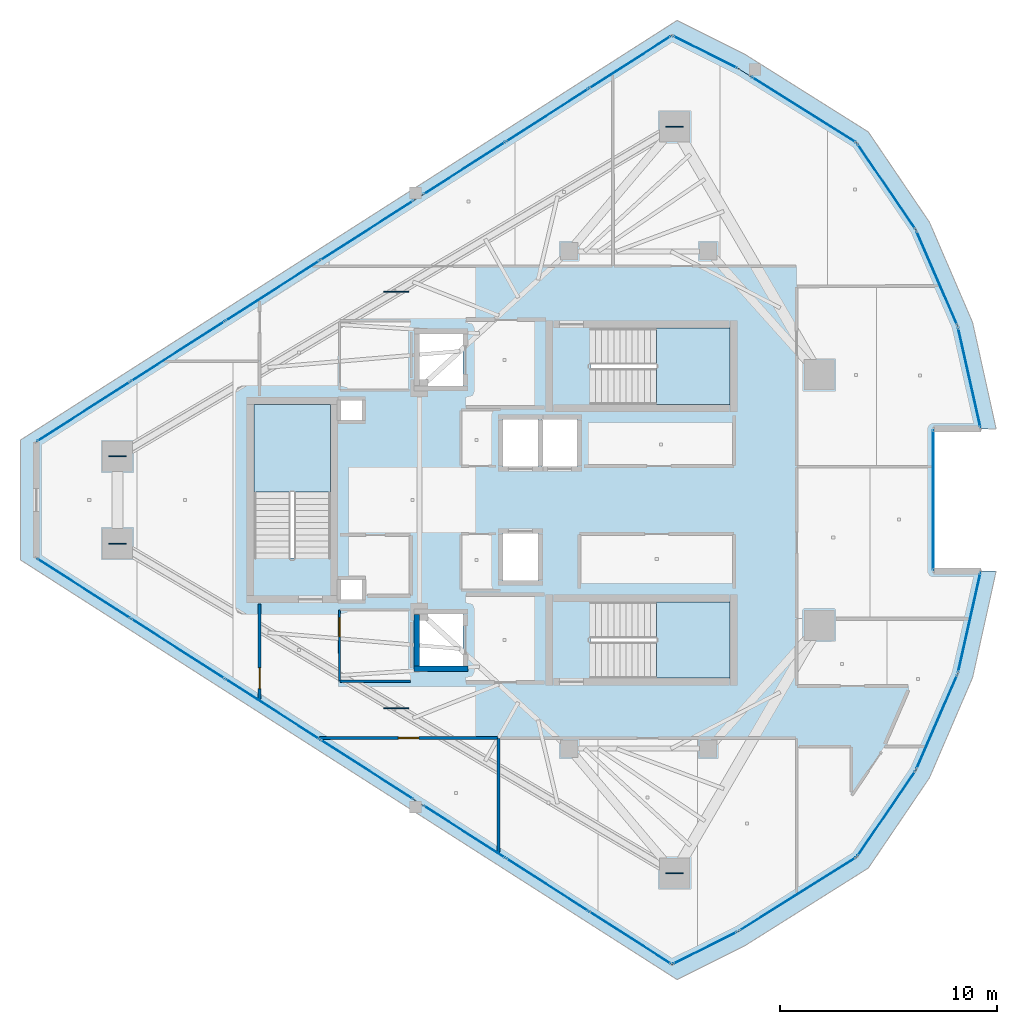
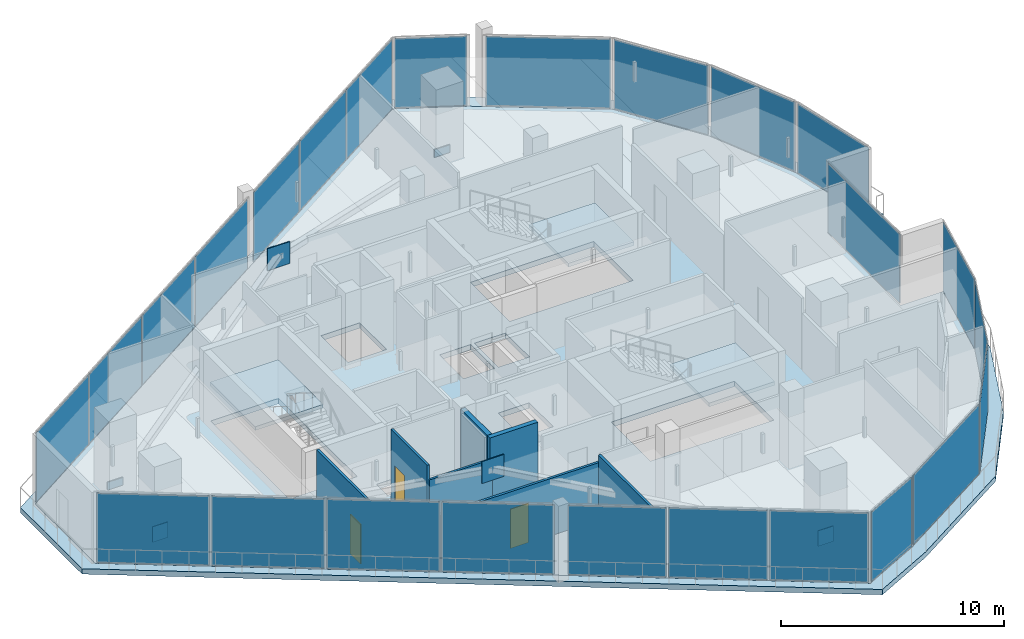
# One storey, part 16 of 25: 31 plates, 7 walls, 5 slabs, 3 doors, 3 openings, 18 elements without a shape of their own.
"""IFC4 building model written with IfcOpenShell, lengths in metres."""

from ifc_helpers import new_model, si_unit, direction, frame, frame_2d, origin, origin_2d, place, context, subcontext, project, spatial, polyline, rectangle, outline, extrude, material, layer, layer_set, type_object, element, fill, aggregate, save


model = new_model("IFC4")

# Units and contexts
model_context = context("Model", 3, precision=1e-05, world=origin(), true_north=direction((0.0, 1.0)))
body_context = subcontext(model_context, "Body", "Model", "MODEL_VIEW")
ifc_project = project(units=[si_unit("LENGTHUNIT", "METRE"), si_unit("AREAUNIT", "SQUARE_METRE"), si_unit("VOLUMEUNIT", "CUBIC_METRE"), si_unit("PLANEANGLEUNIT", "RADIAN"), si_unit("MASSUNIT", "GRAM", prefix="KILO")], contexts=[model_context])

# Site, building, storey
site_placement = place(None, origin())
site = spatial("IfcSite", under=ifc_project, at=site_placement, CompositionType="ELEMENT")
building_placement = place(site_placement, origin())
building = spatial("IfcBuilding", under=site, at=building_placement, Name="Qorvath Tower", CompositionType="ELEMENT")
storey_placement = place(building_placement, frame((0.0, 0.0, 314.39990234375)))
storey = spatial("IfcBuildingStorey", under=building, at=storey_placement, Name="L73", CompositionType="ELEMENT", Elevation=314.39990234375)

# Curtain wall, plates
ifc_material_1 = material(Name="Anodised aluminium and triple low-E glass", Category="aluminium")
ifc_layer_1 = layer(ifc_material_1, 0.179931640625)
ifc_layer_set_1 = layer_set([ifc_layer_1], Name="CW-SYS-4")
curtain_wall_type = type_object("IfcCurtainWallType", Name="CW-SYS-4", PredefinedType="NOTDEFINED", material=ifc_layer_set_1)
curtain_wall_1_placement = place(storey_placement, origin())
curtain_wall_1 = element("IfcCurtainWall", 1, at=curtain_wall_1_placement, inside=storey, type_object=curtain_wall_type, Name="Curtain Wall CW-4 CW-T-L73-2.1", PredefinedType="NOTDEFINED")
ifc_material_2 = material(Name="Acoustic laminated low-E glass", Category="glass")
ifc_layer_2 = layer(ifc_material_2, 0.0380859375)
ifc_layer_set_2 = layer_set([ifc_layer_2], Name="CWP-GLZ-38")
plate_type_1 = type_object("IfcPlateType", Name="CWP-GLZ-38", PredefinedType="CURTAIN_PANEL", material=ifc_layer_set_2)
plate_1_placement = place(storey_placement, frame((-45.953857421875, -4.074462890625, 0.06494140625), z_axis=(0.0, 0.0, 1.0), x_axis=(0.842606436662, -0.538529844016, 0.0)))
plate_1 = element("IfcPlate", 2, at=plate_1_placement, type_object=plate_type_1, Name="CW-4 panel 1.1", PredefinedType="CURTAIN_PANEL", context=body_context, shape_type="SweptSolid", body=[
    extrude(rectangle(XDim=5.054931640625, YDim=0.0380859375, at=origin_2d()), origin(), (0.0, 0.0, 1.0), 3.7802734375),
])
plate_2_placement = place(storey_placement, frame((-41.615478515625, -6.84716796875, 0.06494140625), z_axis=(0.0, 0.0, 1.0), x_axis=(0.842606436662, -0.538529844016, 0.0)))
plate_2 = element("IfcPlate", 3, at=plate_2_placement, type_object=plate_type_1, Name="CW-4 panel 2.1", PredefinedType="CURTAIN_PANEL", context=body_context, shape_type="SweptSolid", body=[
    extrude(rectangle(XDim=5.092529296875, YDim=0.0380859375, at=origin_2d()), origin(), (0.0, 0.0, 1.0), 3.7802734375),
])
plate_3_placement = place(storey_placement, frame((-37.261474609375, -9.6298828125, 0.06494140625), z_axis=(0.0, 0.0, 1.0), x_axis=(0.842606436662, -0.538529844016, 0.0)))
plate_3 = element("IfcPlate", 4, at=plate_3_placement, type_object=plate_type_1, Name="CW-4 panel 3.1", PredefinedType="CURTAIN_PANEL", context=body_context, shape_type="SweptSolid", body=[
    extrude(rectangle(XDim=5.092529296875, YDim=0.0380859375, at=origin_2d()), origin(), (0.0, 0.0, 1.0), 3.7802734375),
])
plate_4_placement = place(storey_placement, frame((-32.923095703125, -12.402587890625, 0.06494140625), z_axis=(0.0, 0.0, 1.0), x_axis=(0.842606436662, -0.538529844016, 0.0)))
plate_4 = element("IfcPlate", 5, at=plate_4_placement, type_object=plate_type_1, Name="CW-4 panel 4.1", PredefinedType="CURTAIN_PANEL", context=body_context, shape_type="SweptSolid", body=[
    extrude(rectangle(XDim=5.054931640625, YDim=0.0380859375, at=origin_2d()), origin(), (0.0, 0.0, 1.0), 3.7802734375),
])
aggregate(curtain_wall_1, [plate_1, plate_2, plate_3, plate_4])

curtain_wall_2_placement = place(storey_placement, origin())
curtain_wall_2 = element("IfcCurtainWall", 6, at=curtain_wall_2_placement, inside=storey, type_object=curtain_wall_type, Name="Curtain Wall CW-4 CW-T-L73-2.2", PredefinedType="NOTDEFINED")
plate_5_placement = place(storey_placement, frame((-28.42724609375, -15.276123046875, 0.06494140625), z_axis=(0.0, 0.0, 1.0), x_axis=(0.842602213743, -0.538536451315, 0.0)))
plate_5 = element("IfcPlate", 7, at=plate_5_placement, type_object=plate_type_1, Name="CW-4 panel 1.1", PredefinedType="CURTAIN_PANEL", context=body_context, shape_type="SweptSolid", body=[
    extrude(rectangle(XDim=4.430908203125, YDim=0.0380859375, at=origin_2d()), origin(), (0.0, 0.0, 1.0), 3.7802734375),
])
plate_6_placement = place(storey_placement, frame((-24.61474609375, -17.712890625, 0.06494140625), z_axis=(0.0, 0.0, 1.0), x_axis=(0.842602213743, -0.538536451315, 0.0)))
plate_6 = element("IfcPlate", 8, at=plate_6_placement, type_object=plate_type_1, Name="CW-4 panel 2.1", PredefinedType="CURTAIN_PANEL", context=body_context, shape_type="SweptSolid", body=[
    extrude(rectangle(XDim=4.468505859375, YDim=0.0380859375, at=origin_2d()), origin(), (0.0, 0.0, 1.0), 3.7802734375),
])
plate_7_placement = place(storey_placement, frame((-20.80224609375, -20.149658203125, 0.06494140625), z_axis=(0.0, 0.0, 1.0), x_axis=(0.842602213743, -0.538536451315, 0.0)))
plate_7 = element("IfcPlate", 9, at=plate_7_placement, type_object=plate_type_1, Name="CW-4 panel 3.1", PredefinedType="CURTAIN_PANEL", context=body_context, shape_type="SweptSolid", body=[
    extrude(rectangle(XDim=4.430908203125, YDim=0.0380859375, at=origin_2d()), origin(), (0.0, 0.0, 1.0), 3.7802734375),
])
aggregate(curtain_wall_2, [plate_5, plate_6, plate_7])

# Curtain wall, plate
curtain_wall_3_placement = place(storey_placement, origin())
curtain_wall_3 = element("IfcCurtainWall", 10, at=curtain_wall_3_placement, inside=storey, type_object=curtain_wall_type, Name="Curtain Wall CW-4 CW-T-L73-3.1", PredefinedType="NOTDEFINED")
plate_8_placement = place(storey_placement, frame((-17.344970703125, -20.619384765625, 0.06494140625), z_axis=(0.0, 0.0, 1.0), x_axis=(0.89442133489, 0.447225307528, 0.0)))
plate_8 = element("IfcPlate", 11, at=plate_8_placement, type_object=plate_type_1, Name="CW-4 panel 1.1", PredefinedType="CURTAIN_PANEL", context=body_context, shape_type="SweptSolid", body=[
    extrude(rectangle(XDim=3.265380859375, YDim=0.0380859375, at=origin_2d()), origin(), (0.0, 0.0, 1.0), 3.7802734375),
])
aggregate(curtain_wall_3, [plate_8])

curtain_wall_4_placement = place(storey_placement, origin())
curtain_wall_4 = element("IfcCurtainWall", 12, at=curtain_wall_4_placement, inside=storey, type_object=curtain_wall_type, Name="Curtain Wall CW-4 CW-T-L73-4.1", PredefinedType="NOTDEFINED")
plate_9_placement = place(storey_placement, frame((-13.08935546875, -18.14453125, 0.06494140625), z_axis=(0.0, 0.0, 1.0), x_axis=(0.847153789474, 0.531347774042, 0.0)))
plate_9 = element("IfcPlate", 13, at=plate_9_placement, type_object=plate_type_1, Name="CW-4 panel 1.1", PredefinedType="CURTAIN_PANEL", context=body_context, shape_type="SweptSolid", body=[
    extrude(rectangle(XDim=6.291015625, YDim=0.0380859375, at=origin_2d()), origin(), (0.0, 0.0, 1.0), 3.7802734375),
])
aggregate(curtain_wall_4, [plate_9])

curtain_wall_5_placement = place(storey_placement, origin())
curtain_wall_5 = element("IfcCurtainWall", 14, at=curtain_wall_5_placement, inside=storey, type_object=curtain_wall_type, Name="Curtain Wall CW-4 CW-T-L73-5.1", PredefinedType="NOTDEFINED")
plate_10_placement = place(storey_placement, frame((-9.001953125, -14.433349609375, 0.06494140625), z_axis=(0.0, 0.0, 1.0), x_axis=(0.562097918999, 0.827070691934, 0.0)))
plate_10 = element("IfcPlate", 15, at=plate_10_placement, type_object=plate_type_1, Name="CW-4 panel 1.1", PredefinedType="CURTAIN_PANEL", context=body_context, shape_type="SweptSolid", body=[
    extrude(rectangle(XDim=4.686279296875, YDim=0.0380859375, at=origin_2d()), origin(), (0.0, 0.0, 1.0), 3.7802734375),
])
aggregate(curtain_wall_5, [plate_10])

curtain_wall_6_placement = place(storey_placement, origin())
curtain_wall_6 = element("IfcCurtainWall", 16, at=curtain_wall_6_placement, inside=storey, type_object=curtain_wall_type, Name="Curtain Wall CW-4 CW-T-L73-6.1", PredefinedType="NOTDEFINED")
plate_11_placement = place(storey_placement, frame((-6.6806640625, -10.214599609375, 0.06494140625), z_axis=(0.0, 0.0, 1.0), x_axis=(0.397783832623, 0.917479167341, 0.0)))
plate_11 = element("IfcPlate", 17, at=plate_11_placement, type_object=plate_type_1, Name="CW-4 panel 1.1", PredefinedType="CURTAIN_PANEL", context=body_context, shape_type="SweptSolid", body=[
    extrude(rectangle(XDim=4.686279296875, YDim=0.0380859375, at=origin_2d()), origin(), (0.0, 0.0, 1.0), 3.7802734375),
])
aggregate(curtain_wall_6, [plate_11])

curtain_wall_7_placement = place(storey_placement, origin())
curtain_wall_7 = element("IfcCurtainWall", 18, at=curtain_wall_7_placement, inside=storey, type_object=curtain_wall_type, Name="Curtain Wall CW-4 CW-T-L73-7.1", PredefinedType="NOTDEFINED")
plate_12_placement = place(storey_placement, frame((-5.18798828125, -5.636962890625, 0.06494140625), z_axis=(0.0, 0.0, 1.0), x_axis=(0.219508750985, 0.975610531022, 0.0)))
plate_12 = element("IfcPlate", 19, at=plate_12_placement, type_object=plate_type_1, Name="CW-4 panel 1.1", PredefinedType="CURTAIN_PANEL", context=body_context, shape_type="SweptSolid", body=[
    extrude(rectangle(XDim=4.686279296875, YDim=0.0380859375, at=origin_2d()), origin(), (0.0, 0.0, 1.0), 3.7802734375),
])
aggregate(curtain_wall_7, [plate_12])

curtain_wall_8_placement = place(storey_placement, origin())
curtain_wall_8 = element("IfcCurtainWall", 20, at=curtain_wall_8_placement, inside=storey, type_object=curtain_wall_type, Name="Curtain Wall CW-4 CW-T-L73-9.1", PredefinedType="NOTDEFINED")
plate_13_placement = place(storey_placement, frame((-6.84228515625, 0.0, 0.06494140625), z_axis=(0.0, 0.0, 1.0), x_axis=(0.0, 1.0, 0.0)))
plate_13 = element("IfcPlate", 21, at=plate_13_placement, type_object=plate_type_1, Name="CW-4 panel 1.1", PredefinedType="CURTAIN_PANEL", context=body_context, shape_type="SweptSolid", body=[
    extrude(rectangle(XDim=6.405517578125, YDim=0.0380859375, at=origin_2d()), origin(), (0.0, 0.0, 1.0), 3.7802734375),
])
aggregate(curtain_wall_8, [plate_13])

curtain_wall_9_placement = place(storey_placement, origin())
curtain_wall_9 = element("IfcCurtainWall", 22, at=curtain_wall_9_placement, inside=storey, type_object=curtain_wall_type, Name="Curtain Wall CW-4 CW-T-L73-11.1", PredefinedType="NOTDEFINED")
plate_14_placement = place(storey_placement, frame((-5.18798828125, 5.636962890625, 0.06494140625), z_axis=(0.0, 0.0, 1.0), x_axis=(-0.219508750985, 0.975610531022, 0.0)))
plate_14 = element("IfcPlate", 23, at=plate_14_placement, type_object=plate_type_1, Name="CW-4 panel 1.1", PredefinedType="CURTAIN_PANEL", context=body_context, shape_type="SweptSolid", body=[
    extrude(rectangle(XDim=4.686279296875, YDim=0.0380859375, at=origin_2d()), origin(), (0.0, 0.0, 1.0), 3.7802734375),
])
aggregate(curtain_wall_9, [plate_14])

curtain_wall_10_placement = place(storey_placement, origin())
curtain_wall_10 = element("IfcCurtainWall", 24, at=curtain_wall_10_placement, inside=storey, type_object=curtain_wall_type, Name="Curtain Wall CW-4 CW-T-L73-12.1", PredefinedType="NOTDEFINED")
plate_15_placement = place(storey_placement, frame((-6.6806640625, 10.214599609375, 0.06494140625), z_axis=(0.0, 0.0, 1.0), x_axis=(-0.397783832623, 0.917479167341, 0.0)))
plate_15 = element("IfcPlate", 25, at=plate_15_placement, type_object=plate_type_1, Name="CW-4 panel 1.1", PredefinedType="CURTAIN_PANEL", context=body_context, shape_type="SweptSolid", body=[
    extrude(rectangle(XDim=4.686279296875, YDim=0.0380859375, at=origin_2d()), origin(), (0.0, 0.0, 1.0), 3.7802734375),
])
aggregate(curtain_wall_10, [plate_15])

curtain_wall_11_placement = place(storey_placement, origin())
curtain_wall_11 = element("IfcCurtainWall", 26, at=curtain_wall_11_placement, inside=storey, type_object=curtain_wall_type, Name="Curtain Wall CW-4 CW-T-L73-13.1", PredefinedType="NOTDEFINED")
plate_16_placement = place(storey_placement, frame((-9.001953125, 14.433349609375, 0.06494140625), z_axis=(0.0, 0.0, 1.0), x_axis=(-0.562097918999, 0.827070691934, 0.0)))
plate_16 = element("IfcPlate", 27, at=plate_16_placement, type_object=plate_type_1, Name="CW-4 panel 1.1", PredefinedType="CURTAIN_PANEL", context=body_context, shape_type="SweptSolid", body=[
    extrude(rectangle(XDim=4.686279296875, YDim=0.0380859375, at=origin_2d()), origin(), (0.0, 0.0, 1.0), 3.7802734375),
])
aggregate(curtain_wall_11, [plate_16])

curtain_wall_12_placement = place(storey_placement, origin())
curtain_wall_12 = element("IfcCurtainWall", 28, at=curtain_wall_12_placement, inside=storey, type_object=curtain_wall_type, Name="Curtain Wall CW-4 CW-T-L73-14.1", PredefinedType="NOTDEFINED")
plate_17_placement = place(storey_placement, frame((-12.804443359375, 17.965576171875, 0.06494140625), z_axis=(0.0, 0.0, 1.0), x_axis=(-0.847168406578, 0.531324468565, 0.0)))
plate_17 = element("IfcPlate", 29, at=plate_17_placement, type_object=plate_type_1, Name="CW-4 panel 1.1", PredefinedType="CURTAIN_PANEL", context=body_context, shape_type="SweptSolid", body=[
    extrude(rectangle(XDim=5.617919921875, YDim=0.0380859375, at=origin_2d()), origin(), (0.0, 0.0, 1.0), 3.7802734375),
])
aggregate(curtain_wall_12, [plate_17])

curtain_wall_13_placement = place(storey_placement, origin())
curtain_wall_13 = element("IfcCurtainWall", 30, at=curtain_wall_13_placement, inside=storey, type_object=curtain_wall_type, Name="Curtain Wall CW-4 CW-T-L73-15.1", PredefinedType="NOTDEFINED")
plate_18_placement = place(storey_placement, frame((-17.344970703125, 20.619384765625, 0.06494140625), z_axis=(0.0, 0.0, 1.0), x_axis=(-0.89442133489, 0.447225307528, 0.0)))
plate_18 = element("IfcPlate", 31, at=plate_18_placement, type_object=plate_type_1, Name="CW-4 panel 1.1", PredefinedType="CURTAIN_PANEL", context=body_context, shape_type="SweptSolid", body=[
    extrude(rectangle(XDim=3.265380859375, YDim=0.0380859375, at=origin_2d()), origin(), (0.0, 0.0, 1.0), 3.7802734375),
])
aggregate(curtain_wall_13, [plate_18])

# Curtain wall, plates
curtain_wall_14_placement = place(storey_placement, origin())
curtain_wall_14 = element("IfcCurtainWall", 32, at=curtain_wall_14_placement, inside=storey, type_object=curtain_wall_type, Name="Curtain Wall CW-4 CW-T-L73-16.1", PredefinedType="NOTDEFINED")
plate_19_placement = place(storey_placement, frame((-20.80224609375, 20.149658203125, 0.06494140625), z_axis=(0.0, 0.0, 1.0), x_axis=(-0.842602213743, -0.538536451315, 0.0)))
plate_19 = element("IfcPlate", 33, at=plate_19_placement, type_object=plate_type_1, Name="CW-4 panel 1.1", PredefinedType="CURTAIN_PANEL", context=body_context, shape_type="SweptSolid", body=[
    extrude(rectangle(XDim=4.430908203125, YDim=0.0380859375, at=origin_2d()), origin(), (0.0, 0.0, 1.0), 3.7802734375),
])
plate_20_placement = place(storey_placement, frame((-24.61474609375, 17.712890625, 0.06494140625), z_axis=(0.0, 0.0, 1.0), x_axis=(-0.842602213743, -0.538536451315, 0.0)))
plate_20 = element("IfcPlate", 34, at=plate_20_placement, type_object=plate_type_1, Name="CW-4 panel 2.1", PredefinedType="CURTAIN_PANEL", context=body_context, shape_type="SweptSolid", body=[
    extrude(rectangle(XDim=4.468505859375, YDim=0.0380859375, at=origin_2d()), origin(), (0.0, 0.0, 1.0), 3.7802734375),
])
plate_21_placement = place(storey_placement, frame((-28.42724609375, 15.276123046875, 0.06494140625), z_axis=(0.0, 0.0, 1.0), x_axis=(-0.842602213743, -0.538536451315, 0.0)))
plate_21 = element("IfcPlate", 35, at=plate_21_placement, type_object=plate_type_1, Name="CW-4 panel 3.1", PredefinedType="CURTAIN_PANEL", context=body_context, shape_type="SweptSolid", body=[
    extrude(rectangle(XDim=4.430908203125, YDim=0.0380859375, at=origin_2d()), origin(), (0.0, 0.0, 1.0), 3.7802734375),
])
aggregate(curtain_wall_14, [plate_19, plate_20, plate_21])

curtain_wall_15_placement = place(storey_placement, origin())
curtain_wall_15 = element("IfcCurtainWall", 36, at=curtain_wall_15_placement, inside=storey, type_object=curtain_wall_type, Name="Curtain Wall CW-4 CW-T-L73-16.2", PredefinedType="NOTDEFINED")
plate_22_placement = place(storey_placement, frame((-32.923095703125, 12.402587890625, 0.06494140625), z_axis=(0.0, 0.0, 1.0), x_axis=(-0.842606436662, -0.538529844016, 0.0)))
plate_22 = element("IfcPlate", 37, at=plate_22_placement, type_object=plate_type_1, Name="CW-4 panel 1.1", PredefinedType="CURTAIN_PANEL", context=body_context, shape_type="SweptSolid", body=[
    extrude(rectangle(XDim=5.054931640625, YDim=0.0380859375, at=origin_2d()), origin(), (0.0, 0.0, 1.0), 3.7802734375),
])
plate_23_placement = place(storey_placement, frame((-37.261474609375, 9.6298828125, 0.06494140625), z_axis=(0.0, 0.0, 1.0), x_axis=(-0.842606436662, -0.538529844016, 0.0)))
plate_23 = element("IfcPlate", 38, at=plate_23_placement, type_object=plate_type_1, Name="CW-4 panel 2.1", PredefinedType="CURTAIN_PANEL", context=body_context, shape_type="SweptSolid", body=[
    extrude(rectangle(XDim=5.092529296875, YDim=0.0380859375, at=origin_2d()), origin(), (0.0, 0.0, 1.0), 3.7802734375),
])
plate_24_placement = place(storey_placement, frame((-41.615478515625, 6.84716796875, 0.06494140625), z_axis=(0.0, 0.0, 1.0), x_axis=(-0.842606436662, -0.538529844016, 0.0)))
plate_24 = element("IfcPlate", 39, at=plate_24_placement, type_object=plate_type_1, Name="CW-4 panel 3.1", PredefinedType="CURTAIN_PANEL", context=body_context, shape_type="SweptSolid", body=[
    extrude(rectangle(XDim=5.092529296875, YDim=0.0380859375, at=origin_2d()), origin(), (0.0, 0.0, 1.0), 3.7802734375),
])
plate_25_placement = place(storey_placement, frame((-45.953857421875, 4.074462890625, 0.06494140625), z_axis=(0.0, 0.0, 1.0), x_axis=(-0.842606436662, -0.538529844016, 0.0)))
plate_25 = element("IfcPlate", 40, at=plate_25_placement, type_object=plate_type_1, Name="CW-4 panel 4.1", PredefinedType="CURTAIN_PANEL", context=body_context, shape_type="SweptSolid", body=[
    extrude(rectangle(XDim=5.054931640625, YDim=0.0380859375, at=origin_2d()), origin(), (0.0, 0.0, 1.0), 3.7802734375),
])
aggregate(curtain_wall_15, [plate_22, plate_23, plate_24, plate_25])

# Plates
ifc_material_3 = material(Name="Steel ASTM A572 Grade 50", Category="steel")
ifc_layer_3 = layer(ifc_material_3, 0.054931640625)
ifc_layer_set_3 = layer_set([ifc_layer_3], Name="PL-MBN1")
plate_type_2 = type_object("IfcPlateType", Name="PL-MBN1", PredefinedType="USERDEFINED", material=ifc_layer_set_3)
for number, where, z_axis, x_axis, name in (
    (41, (-31.57666015625, 9.591552734375, 2.96044921875), (0.0, 0.0, 1.0), (1.0, 0.0, 0.0), "Mega-Brace Chevron Apex Gusset L73-1"),
    (42, (-31.57666015625, -9.591552734375, 2.96044921875), (0.0, 0.0, 1.0), (1.0, 0.0, 0.0), "Mega-Brace Chevron Apex Gusset L73-2"),
):
    element("IfcPlate", number, at=place(storey_placement, frame(where, z_axis=z_axis, x_axis=x_axis)), inside=storey, type_object=plate_type_2, Name=name, ObjectType="GUSSET", PredefinedType="USERDEFINED", context=body_context, shape_type="SweptSolid", body=[
        extrude(rectangle(XDim=1.14990234375, YDim=0.054931640625, at=origin_2d()), origin(), (0.0, 0.0, 1.0), 1.199951171875),
    ])
for number, where, z_axis, x_axis, name in (
    (43, (-18.75048828125, 17.175537109375, -0.425048828125), (0.0, 0.0, 1.0), (1.0, 0.0, 0.0), "Brace Strut End Gusset Plate NDBG-125"),
    (44, (-44.402587890625, 2.007568359375, -0.425048828125), (0.0, 0.0, 1.0), (1.0, 0.0, 0.0), "Brace Strut End Gusset Plate NDBG-126"),
    (45, (-44.402587890625, -2.007568359375, -0.425048828125), (0.0, 0.0, 1.0), (1.0, 0.0, 0.0), "Brace Strut End Gusset Plate NDBG-127"),
    (46, (-18.75048828125, -17.175537109375, -0.425048828125), (0.0, 0.0, 1.0), (1.0, 0.0, 0.0), "Brace Strut End Gusset Plate NDBG-128"),
):
    element("IfcPlate", number, at=place(storey_placement, frame(where, z_axis=z_axis, x_axis=x_axis)), inside=storey, type_object=plate_type_2, Name=name, ObjectType="GUSSET", PredefinedType="USERDEFINED", context=body_context, shape_type="SweptSolid", body=[
        extrude(rectangle(XDim=0.800048828125, YDim=0.054931640625, at=origin_2d()), origin(), (0.0, 0.0, 1.0), 0.85009765625),
    ])

# Slab
ifc_material_4 = material(Name="Concrete C50/60", Category="concrete")
ifc_layer_4 = layer(ifc_material_4, 0.2900390625)
ifc_layer_set_4 = layer_set([ifc_layer_4], Name="SL-EXEC-290")
slab_type_1 = type_object("IfcSlabType", Name="SL-EXEC-290", PredefinedType="FLOOR", material=ifc_layer_set_4)
slab_1_placement = place(storey_placement, frame((0.0, 0.0, -0.289794921875)))
element("IfcSlab", 47, at=slab_1_placement, inside=storey, type_object=slab_type_1, Name="Tower L73 Interior Floor Slab", PredefinedType="FLOOR", context=body_context, shape_type="SweptSolid", body=[
    extrude(outline(polyline([(-48.146728515625, 2.6728515625), (-48.146728515625, -2.6728515625), (-18.872314453125, -21.383056640625), (-15.817626953125, -19.855712890625), (-10.361083984375, -16.433349609375), (-7.642578125, -12.433349609375), (-5.71875, -7.99609375), (-4.6572265625, -3.27783203125), (-6.84228515625, -3.27783203125), (-6.84228515625, 3.27783203125), (-4.6572265625, 3.27783203125), (-5.71875, 7.99609375), (-7.642578125, 12.433349609375), (-10.361083984375, 16.433349609375), (-15.817626953125, 19.855712890625), (-18.872314453125, 21.383056640625), (-48.146728515625, 2.6728515625)]), holes=[polyline([(-16.2451171875, -8.199951171875), (-22.625, -8.199951171875), (-22.625, -4.68994140625), (-16.2451171875, -4.68994140625), (-16.2451171875, -8.199951171875)]), polyline([(-22.625, 4.39990234375), (-22.625, 7.909912109375), (-16.2451171875, 7.909912109375), (-16.2451171875, 4.39990234375), (-22.625, 4.39990234375)]), polyline([(-23.25, 1.550048828125), (-24.85009765625, 1.550048828125), (-24.85009765625, 3.699951171875), (-23.25, 3.699951171875), (-23.25, 1.550048828125)]), polyline([(-26.64990234375, -3.699951171875), (-26.64990234375, -1.550048828125), (-25.050048828125, -1.550048828125), (-25.050048828125, -3.699951171875), (-26.64990234375, -3.699951171875)]), polyline([(-25.050048828125, 1.550048828125), (-26.64990234375, 1.550048828125), (-26.64990234375, 3.699951171875), (-25.050048828125, 3.699951171875), (-25.050048828125, 1.550048828125)]), polyline([(-28.5, -7.64990234375), (-30.5, -7.64990234375), (-30.5, -5.25), (-28.5, -5.25), (-28.5, -7.64990234375)]), polyline([(-30.5, 5.25), (-30.5, 7.64990234375), (-28.5, 7.64990234375), (-28.5, 5.25), (-30.5, 5.25)]), polyline([(-33.10009765625, -4.6201171875), (-34.14990234375, -4.6201171875), (-34.14990234375, -3.64990234375), (-33.10009765625, -3.64990234375), (-33.10009765625, -4.6201171875)]), polyline([(-33.10009765625, 3.64990234375), (-34.14990234375, 3.64990234375), (-34.14990234375, 4.6201171875), (-33.10009765625, 4.6201171875), (-33.10009765625, 3.64990234375)]), polyline([(-34.60009765625, -2.675048828125), (-38.110107421875, -2.675048828125), (-38.110107421875, 4.35498046875), (-34.60009765625, 4.35498046875), (-34.60009765625, -2.675048828125)])]), origin(), (0.0, 0.0, 1.0), 0.289794921875),
])

# Stair, slab
ifc_material_5 = material(Name="Concrete C50/60", Category="concrete")
stair_type = type_object("IfcStairType", Name="ST-H420", PredefinedType="HALF_TURN_STAIR", material=ifc_material_5)
stair_1_placement = place(storey_placement, origin())
stair_1 = element("IfcStair", 48, at=stair_1_placement, inside=storey, type_object=stair_type, Name="L73 Tower Exit Stair 1", PredefinedType="HALF_TURN_STAIR")
ifc_material_6 = material(Name="Concrete C50/60", Category="concrete")
ifc_layer_5 = layer(ifc_material_6, 0.199951171875)
ifc_layer_set_5 = layer_set([ifc_layer_5], Name="SL-LND-200")
slab_type_2 = type_object("IfcSlabType", Name="SL-LND-200", PredefinedType="LANDING", material=ifc_layer_set_5)
slab_2_placement = place(storey_placement, frame((0.0, 0.0, 1.900146484375)))
slab_2 = element("IfcSlab", 49, at=slab_2_placement, type_object=slab_type_2, Name="TS1 landing 1", PredefinedType="LANDING", context=body_context, shape_type="SweptSolid", body=[
    extrude(outline(polyline([(-19.590087890625, 4.39990234375), (-16.199951171875, 4.39990234375), (-16.199951171875, 7.909912109375), (-19.590087890625, 7.909912109375), (-19.590087890625, 4.39990234375)])), origin(), (0.0, 0.0, 1.0), 0.199951171875),
])
aggregate(stair_1, [slab_2])

stair_2_placement = place(storey_placement, origin())
stair_2 = element("IfcStair", 50, at=stair_2_placement, inside=storey, type_object=stair_type, Name="L73 Tower Exit Stair 2", PredefinedType="HALF_TURN_STAIR")
slab_3_placement = place(storey_placement, frame((0.0, 0.0, 1.900146484375)))
slab_3 = element("IfcSlab", 51, at=slab_3_placement, type_object=slab_type_2, Name="TS2 landing 1", PredefinedType="LANDING", context=body_context, shape_type="SweptSolid", body=[
    extrude(outline(polyline([(-19.590087890625, -8.199951171875), (-16.199951171875, -8.199951171875), (-16.199951171875, -4.68994140625), (-19.590087890625, -4.68994140625), (-19.590087890625, -8.199951171875)])), origin(), (0.0, 0.0, 1.0), 0.199951171875),
])
aggregate(stair_2, [slab_3])

stair_3_placement = place(storey_placement, origin())
stair_3 = element("IfcStair", 52, at=stair_3_placement, inside=storey, type_object=stair_type, Name="L73 Tower Exit Stair 3", PredefinedType="HALF_TURN_STAIR")
slab_4_placement = place(storey_placement, frame((0.0, 0.0, 1.900146484375)))
slab_4 = element("IfcSlab", 53, at=slab_4_placement, type_object=slab_type_2, Name="TS3 landing 1", PredefinedType="LANDING", context=body_context, shape_type="SweptSolid", body=[
    extrude(outline(polyline([(-34.60009765625, 0.360107421875), (-34.60009765625, 4.39990234375), (-38.110107421875, 4.39990234375), (-38.110107421875, 0.360107421875), (-34.60009765625, 0.360107421875)])), origin(), (0.0, 0.0, 1.0), 0.199951171875),
])
aggregate(stair_3, [slab_4])

# Slab
ifc_material_7 = material(Name="Precast concrete C45/55", Category="concrete")
ifc_layer_6 = layer(ifc_material_7, 0.2900390625)
ifc_layer_set_6 = layer_set([ifc_layer_6], Name="SL-LOG-290")
slab_type_3 = type_object("IfcSlabType", Name="SL-LOG-290", PredefinedType="FLOOR", material=ifc_layer_set_6)
slab_5_placement = place(storey_placement, frame((0.0, 0.0, -0.289794921875)))
element("IfcSlab", 54, at=slab_5_placement, inside=storey, type_object=slab_type_3, Name="Tower L73 Perimeter Loggia and Terrace Slab", PredefinedType="FLOOR", context=body_context, shape_type="SweptSolid", body=[
    extrude(outline(polyline([(-4.6572265625, -3.27783203125), (-5.71875, -7.99609375), (-7.642578125, -12.433349609375), (-10.361083984375, -16.433349609375), (-15.817626953125, -19.855712890625), (-18.872314453125, -21.383056640625), (-48.146728515625, -2.6728515625), (-48.146728515625, 2.6728515625), (-18.872314453125, 21.383056640625), (-15.817626953125, 19.855712890625), (-10.361083984375, 16.433349609375), (-7.642578125, 12.433349609375), (-5.71875, 7.99609375), (-4.6572265625, 3.27783203125), (-3.953369140625, 3.27783203125), (-5.0380859375, 8.1787109375), (-7.02294921875, 12.788818359375), (-9.837890625, 16.9443359375), (-15.48828125, 20.498046875), (-18.6416015625, 22.07470703125), (-48.86328125, 2.759521484375), (-48.86328125, -2.759521484375), (-18.6416015625, -22.07470703125), (-15.48828125, -20.498046875), (-9.837890625, -16.9443359375), (-7.02294921875, -12.788818359375), (-5.0380859375, -8.1787109375), (-3.953369140625, -3.27783203125), (-4.6572265625, -3.27783203125)])), origin(), (0.0, 0.0, 1.0), 0.289794921875),
])

# Wall, opening, door
ifc_material_8 = material(Name="Gypsum board on metal studs with mineral wool", Category="gypsum")
ifc_layer_7 = layer(ifc_material_8, 0.125)
ifc_layer_set_7 = layer_set([ifc_layer_7], Name="IW-PART-125")
wall_type_1 = type_object("IfcWallType", Name="IW-PART-125", PredefinedType="PARTITIONING", material=ifc_layer_set_7)
wall_1_placement = place(storey_placement, frame((-26.889892578125, -10.9580078125, 0.0), z_axis=(0.0, 0.0, 1.0), x_axis=(-1.0, 0.0, 0.0)))
wall_1 = element("IfcWall", 55, at=wall_1_placement, inside=storey, type_object=wall_type_1, Name="Interior Partition IW-T1-L73-031", PredefinedType="PARTITIONING", context=body_context, shape_type="SweptSolid", body=[
    extrude(rectangle(XDim=8.213623046875, YDim=0.125, at=frame_2d((4.10693359375, 0.0))), origin(), (0.0, 0.0, 1.0), 3.130126953125),
])
opening_1_placement = place(wall_1_placement, frame((3.6318359375, 0.0, 0.0)))
opening_1 = element("IfcOpeningElement", 56, at=opening_1_placement, cuts=wall_1, Name="Opening D-T1-L73-09", PredefinedType="OPENING", context=body_context, shape_type="SweptSolid", body=[
    extrude(rectangle(XDim=0.949951171875, YDim=2.14990234375, at=frame_2d((0.47509765625, 1.074951171875))), frame((0.0, 0.072509765625, 0.0), z_axis=(0.0, -1.0, 0.0), x_axis=(1.0, 0.0, 0.0)), (0.0, 0.0, 1.0), 0.14501953125),
])
ifc_material_9 = material(Name="Solid-core American white oak veneer", Category="wood")
door_type_1 = type_object("IfcDoorType", Name="D-01", OperationType="NOTDEFINED", PredefinedType="DOOR", material=ifc_material_9)
door_1_placement = place(opening_1_placement, origin())
door_1 = element("IfcDoor", 57, at=door_1_placement, inside=storey, type_object=door_type_1, Name="L73-03 Staff Wellness Studio Door D-T1-L73-09", OperationType="SINGLE_SWING_RIGHT", OverallHeight=2.14990234375, OverallWidth=0.949951171875, PredefinedType="DOOR", context=body_context, shape_type="SweptSolid", body=[
    extrude(rectangle(XDim=0.949951171875, YDim=2.14990234375, at=frame_2d((0.47509765625, 1.074951171875))), frame((0.0, 0.02490234375, 0.0), z_axis=(0.0, -1.0, 0.0), x_axis=(1.0, 0.0, 0.0)), (0.0, 0.0, 1.0), 0.050048828125),
])
fill(opening_1, door_1)

# Wall
wall_2_placement = place(storey_placement, frame((-26.864990234375, -16.194580078125, 0.0), z_axis=(0.0, 0.0, 1.0), x_axis=(0.0, 1.0, 0.0)))
element("IfcWall", 58, at=wall_2_placement, inside=storey, type_object=wall_type_1, Name="Interior Partition IW-T1-L73-032", PredefinedType="PARTITIONING", context=body_context, shape_type="SweptSolid", body=[
    extrude(rectangle(XDim=5.211669921875, YDim=0.125, at=frame_2d((2.60595703125, 0.0))), origin(), (0.0, 0.0, 1.0), 3.529052734375),
])

# Wall, opening, door
wall_3_placement = place(storey_placement, frame((-37.85791015625, -9.168701171875, 0.0), z_axis=(0.0, 0.0, 1.0), x_axis=(0.0, 1.0, 0.0)))
wall_3 = element("IfcWall", 59, at=wall_3_placement, inside=storey, type_object=wall_type_1, Name="Interior Partition IW-T1-L73-046", PredefinedType="PARTITIONING", context=body_context, shape_type="SweptSolid", body=[
    extrude(rectangle(XDim=4.385498046875, YDim=0.125, at=frame_2d((2.19287109375, 0.0))), origin(), (0.0, 0.0, 1.0), 3.91015625),
])
opening_2_placement = place(wall_3_placement, frame((0.49072265625, 0.0, 0.0)))
opening_2 = element("IfcOpeningElement", 60, at=opening_2_placement, cuts=wall_3, Name="Opening D-T1-L73-14", PredefinedType="OPENING", context=body_context, shape_type="SweptSolid", body=[
    extrude(rectangle(XDim=0.949951171875, YDim=2.14990234375, at=frame_2d((0.47509765625, 1.074951171875))), frame((0.0, 0.072509765625, 0.0), z_axis=(0.0, -1.0, 0.0), x_axis=(1.0, 0.0, 0.0)), (0.0, 0.0, 1.0), 0.14501953125),
])
door_2_placement = place(opening_2_placement, origin())
door_2 = element("IfcDoor", 61, at=door_2_placement, inside=storey, type_object=door_type_1, Name="L73-09 Open Workplace Studio Door D-T1-L73-14", OperationType="SINGLE_SWING_LEFT", OverallHeight=2.14990234375, OverallWidth=0.949951171875, PredefinedType="DOOR", context=body_context, shape_type="SweptSolid", body=[
    extrude(rectangle(XDim=0.949951171875, YDim=2.14990234375, at=frame_2d((0.47509765625, 1.074951171875))), frame((0.0, 0.02490234375, 0.0), z_axis=(0.0, -1.0, 0.0), x_axis=(1.0, 0.0, 0.0)), (0.0, 0.0, 1.0), 0.050048828125),
])
fill(opening_2, door_2)

# Wall
ifc_material_10 = material(Name="Moisture-resistant cement board on metal studs", Category="gypsum")
ifc_layer_8 = layer(ifc_material_10, 0.110107421875)
ifc_layer_set_8 = layer_set([ifc_layer_8], Name="IW-WC-110")
wall_type_2 = type_object("IfcWallType", Name="IW-WC-110", PredefinedType="PARTITIONING", material=ifc_layer_set_8)
wall_4_placement = place(storey_placement, frame((-34.15478515625, -8.35009765625, 0.0), z_axis=(0.0, 0.0, 1.0), x_axis=(1.0, 0.0, 0.0)))
element("IfcWall", 62, at=wall_4_placement, inside=storey, type_object=wall_type_2, Name="Interior Partition IW-T1-L73-009", PredefinedType="PARTITIONING", context=body_context, shape_type="SweptSolid", body=[
    extrude(rectangle(XDim=3.25, YDim=0.110107421875, at=frame_2d((1.625, 0.0))), origin(), (0.0, 0.0, 1.0), 3.130126953125),
])

# Wall, opening, door
wall_5_placement = place(storey_placement, frame((-34.179931640625, -5.074951171875, 0.0), z_axis=(0.0, 0.0, 1.0), x_axis=(0.0, -1.0, 0.0)))
wall_5 = element("IfcWall", 63, at=wall_5_placement, inside=storey, type_object=wall_type_2, Name="Interior Partition IW-T1-L73-012", PredefinedType="PARTITIONING", context=body_context, shape_type="SweptSolid", body=[
    extrude(rectangle(XDim=3.250244140625, YDim=0.110107421875, at=frame_2d((1.625, 0.0))), origin(), (0.0, 0.0, 1.0), 3.91015625),
])
opening_3_placement = place(wall_5_placement, frame((0.340087890625, 0.0, 0.0)))
opening_3 = element("IfcOpeningElement", 64, at=opening_3_placement, cuts=wall_5, Name="Opening D-T1-L73-02", PredefinedType="OPENING", context=body_context, shape_type="SweptSolid", body=[
    extrude(rectangle(XDim=0.8798828125, YDim=2.10009765625, at=frame_2d((0.43994140625, 1.050048828125))), frame((0.0, 0.06494140625, 0.0), z_axis=(0.0, -1.0, 0.0), x_axis=(1.0, 0.0, 0.0)), (0.0, 0.0, 1.0), 0.130126953125),
])
ifc_material_11 = material(Name="Solid-core oak with acoustic drop seal", Category="wood")
door_type_2 = type_object("IfcDoorType", Name="D-02", OperationType="NOTDEFINED", PredefinedType="DOOR", material=ifc_material_11)
door_3_placement = place(opening_3_placement, origin())
door_3 = element("IfcDoor", 65, at=door_3_placement, inside=storey, type_object=door_type_2, Name="WC All-Gender South L73 Door D-T1-L73-02", OperationType="SINGLE_SWING_LEFT", OverallHeight=2.10009765625, OverallWidth=0.8798828125, PredefinedType="DOOR", context=body_context, shape_type="SweptSolid", body=[
    extrude(rectangle(XDim=0.8798828125, YDim=2.10009765625, at=frame_2d((0.43994140625, 1.050048828125))), frame((0.0, 0.02490234375, 0.0), z_axis=(0.0, -1.0, 0.0), x_axis=(1.0, 0.0, 0.0)), (0.0, 0.0, 1.0), 0.050048828125),
])
fill(opening_3, door_3)

# Walls
ifc_material_12 = material(Name="Concrete C60/75", Category="concrete")
ifc_layer_9 = layer(ifc_material_12, 0.260009765625)
ifc_layer_set_9 = layer_set([ifc_layer_9], Name="SW-SHAFT")
wall_type_3 = type_object("IfcWallType", Name="SW-SHAFT", PredefinedType="SHEAR", material=ifc_layer_set_9)
wall_6_placement = place(storey_placement, frame((-28.260009765625, -7.77001953125, 0.0), z_axis=(0.0, 0.0, 1.0), x_axis=(-1.0, 0.0, 0.0)))
element("IfcWall", 66, at=wall_6_placement, inside=storey, type_object=wall_type_3, Name="Hoistway Wall FSAE-2 L73 S", PredefinedType="SHEAR", context=body_context, shape_type="SweptSolid", body=[
    extrude(rectangle(XDim=2.47998046875, YDim=0.239990234375, at=frame_2d((1.239990234375, 0.0))), origin(), (0.0, 0.0, 1.0), 3.91015625),
])
wall_7_placement = place(storey_placement, frame((-30.6201171875, -7.637939453125, 0.0), z_axis=(0.0, 0.0, 1.0), x_axis=(0.0, 1.0, 0.0)))
element("IfcWall", 67, at=wall_7_placement, inside=storey, type_object=wall_type_3, Name="Hoistway Wall FSAE-2 L73 W", PredefinedType="SHEAR", context=body_context, shape_type="SweptSolid", body=[
    extrude(rectangle(XDim=2.3759765625, YDim=0.239990234375, at=frame_2d((1.18798828125, 0.0))), origin(), (0.0, 0.0, 1.0), 3.91015625),
])

save(model, "model.ifc")
